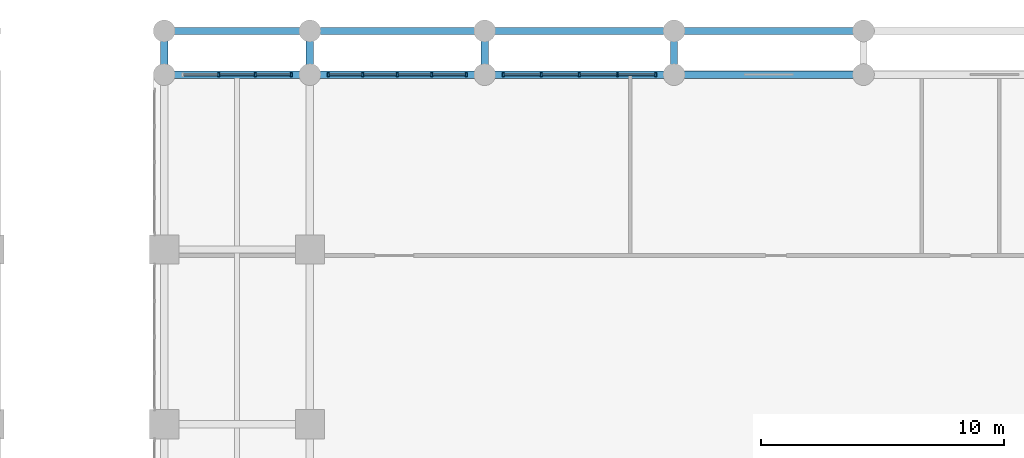
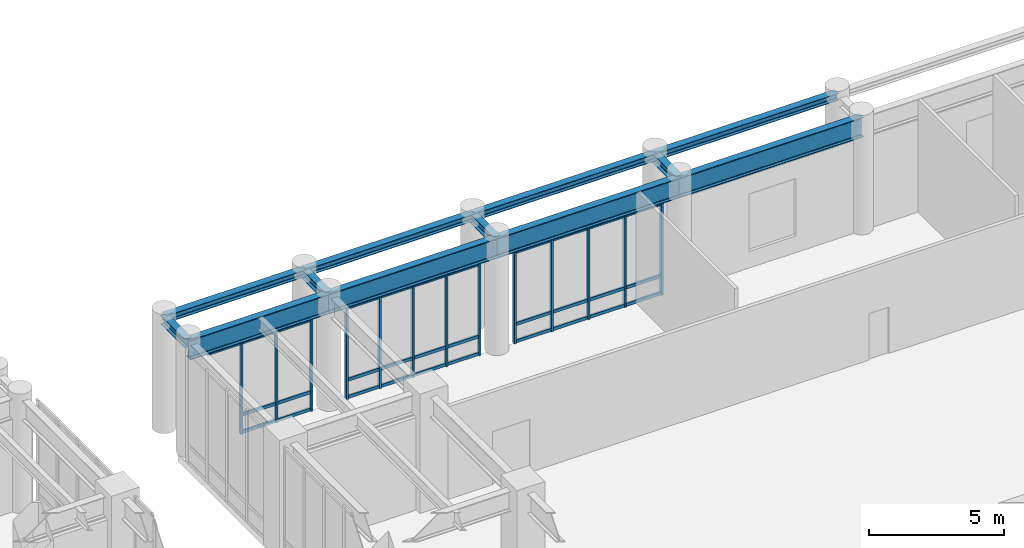
# One storey, part 8 of 23: 44 members, 12 beams, 3 elements without a shape of their own.
"""IFC4 building model written with IfcOpenShell, lengths in metres."""

from ifc_helpers import new_model, si_unit, derived_unit, direction, frame, origin, origin_2d, place, context, subcontext, project, spatial, rectangle, i_section, extrude, source, transform, mapped, material, layer, layer_set, material_profile, profile_set, type_object, type_shapes, element, aggregate, save


model = new_model("IFC4")

# Units and contexts
model_context = context("Model", 3, precision=1e-05, world=origin(), true_north=direction((0.0, 1.0)))
body_context = subcontext(model_context, "Body", "Model", "MODEL_VIEW")
ifc_project = project(units=[si_unit("LENGTHUNIT", "METRE"), si_unit("AREAUNIT", "SQUARE_METRE"), si_unit("VOLUMEUNIT", "CUBIC_METRE"), si_unit("PLANEANGLEUNIT", "RADIAN"), si_unit("MASSUNIT", "GRAM", prefix="KILO"), si_unit("THERMODYNAMICTEMPERATUREUNIT", "KELVIN"), si_unit("POWERUNIT", "WATT"), derived_unit("THERMALTRANSMITTANCEUNIT", [(si_unit("POWERUNIT", "WATT"), 1), (si_unit("AREAUNIT", "SQUARE_METRE"), -1), (si_unit("THERMODYNAMICTEMPERATUREUNIT", "KELVIN"), -1)])], contexts=[model_context])

# Site, building, storey
site_placement = place(None, origin())
site = spatial("IfcSite", under=ifc_project, at=site_placement, CompositionType="ELEMENT")
building_placement = place(site_placement, origin())
building = spatial("IfcBuilding", under=site, at=building_placement, Name="Zahravan Archway Hotel and Residences", CompositionType="ELEMENT")
storey_placement = place(building_placement, frame((0.0, 0.0, 5.39990234375)))
storey = spatial("IfcBuildingStorey", under=building, at=storey_placement, Name="L01", CompositionType="ELEMENT", Elevation=5.39990234375)

# Beams
ifc_material_1 = material(Name="Structural Steel S355J2", Category="steel")
ifc_material_profile_1 = material_profile(ifc_material_1, i_section(OverallWidth=0.300048828125, OverallDepth=0.89990234375, WebThickness=0.0185546875, FlangeThickness=0.034912109375, FilletRadius=0.030029296875, at=origin_2d()), Name="HEB 900", Category="steel")
ifc_profile_set_1 = profile_set([ifc_material_profile_1], Name="Structural Steel S355J2")
beam_type_1 = type_object("IfcBeamType", Name="BM-PRI-HEB900", PredefinedType="BEAM", material=ifc_profile_set_1)
shared_shape_1 = source(origin(), body_context, "Body", "SweptSolid", [
    extrude(i_section(OverallWidth=0.300048828125, OverallDepth=0.89990234375, WebThickness=0.0185546875, FlangeThickness=0.034912109375, FilletRadius=0.030029296875, at=origin_2d()), origin(), (0.0, 0.0, 1.0), 7.199951171875),
])
beam_1_placement = place(storey_placement, frame((34.800048828125, 46.800048828125, 4.650146484375), z_axis=(1.0, 0.0, 0.0), x_axis=(0.0, 1.0, 0.0)))
element("IfcBeam", 1, at=beam_1_placement, inside=storey, type_object=beam_type_1, Name="L01 Primary Girder EW-57", PredefinedType="BEAM", context=body_context, shape_type="MappedRepresentation", body=[
    mapped(shared_shape_1, transform((0.0, 0.0, 0.0), scale=1.0)),
])
shared_shape_2 = source(origin(), body_context, "Body", "SweptSolid", [
    extrude(i_section(OverallWidth=0.300048828125, OverallDepth=0.89990234375, WebThickness=0.0185546875, FlangeThickness=0.034912109375, FilletRadius=0.030029296875, at=origin_2d()), origin(), (0.0, 0.0, 1.0), 6.0),
])
beam_2_placement = place(storey_placement, frame((28.800048828125, 46.800048828125, 4.650146484375), z_axis=(1.0, 0.0, 0.0), x_axis=(0.0, 1.0, 0.0)))
element("IfcBeam", 2, at=beam_2_placement, inside=storey, type_object=beam_type_1, Name="L01 Primary Girder EW-56", PredefinedType="BEAM", context=body_context, shape_type="MappedRepresentation", body=[
    mapped(shared_shape_2, transform((0.0, 0.0, 0.0), scale=1.0)),
])
shared_shape_3 = source(origin(), body_context, "Body", "SweptSolid", [
    extrude(i_section(OverallWidth=0.300048828125, OverallDepth=0.89990234375, WebThickness=0.0185546875, FlangeThickness=0.034912109375, FilletRadius=0.030029296875, at=origin_2d()), origin(), (0.0, 0.0, 1.0), 7.800048828125),
])
for number, where, z_axis, x_axis, name in (
    (3, (42.0, 46.800048828125, 4.650146484375), (1.0, 0.0, 0.0), (0.0, 1.0, 0.0), "L01 Primary Girder EW-58"),
    (4, (49.800048828125, 46.800048828125, 4.650146484375), (1.0, 0.0, 0.0), (0.0, 1.0, 0.0), "L01 Primary Girder EW-59"),
):
    element("IfcBeam", number, at=place(storey_placement, frame(where, z_axis=z_axis, x_axis=x_axis)), inside=storey, type_object=beam_type_1, Name=name, PredefinedType="BEAM", context=body_context, shape_type="MappedRepresentation", body=[
        mapped(shared_shape_3, transform((0.0, 0.0, 0.0), scale=1.0)),
    ])
ifc_material_2 = material(Name="Structural Steel S355JR", Category="steel")
ifc_material_profile_2 = material_profile(ifc_material_2, i_section(OverallWidth=0.300048828125, OverallDepth=0.320068359375, WebThickness=0.011474609375, FlangeThickness=0.0205078125, FilletRadius=0.027099609375, at=origin_2d()), Name="HEB 320", Category="steel")
ifc_profile_set_2 = profile_set([ifc_material_profile_2], Name="Structural Steel S355JR")
beam_type_2 = type_object("IfcBeamType", Name="BM-SPN-HEB320", PredefinedType="SPANDREL", material=ifc_profile_set_2)
shared_shape_4 = source(origin(), body_context, "Body", "SweptSolid", [
    extrude(i_section(OverallWidth=0.300048828125, OverallDepth=0.320068359375, WebThickness=0.011474609375, FlangeThickness=0.0205078125, FilletRadius=0.027099609375, at=origin_2d()), origin(), (0.0, 0.0, 1.0), 7.199951171875),
])
type_shapes(beam_type_2, [shared_shape_4])
beam_3_placement = place(storey_placement, frame((34.800048828125, 48.60009765625, 4.940185546875), z_axis=(1.0, 0.0, 0.0), x_axis=(0.0, 1.0, 0.0)))
element("IfcBeam", 5, at=beam_3_placement, inside=storey, type_object=beam_type_2, Name="L01 North Colonnade Spandrel 6", PredefinedType="SPANDREL", context=body_context, shape_type="MappedRepresentation", body=[
    mapped(shared_shape_4, transform((0.0, 0.0, 0.0), scale=1.0)),
])
ifc_material_profile_3 = material_profile(ifc_material_2, i_section(OverallWidth=0.300048828125, OverallDepth=0.39990234375, WebThickness=0.013427734375, FlangeThickness=0.02392578125, FilletRadius=0.027099609375, at=origin_2d()), Name="HEB 400", Category="steel")
ifc_profile_set_3 = profile_set([ifc_material_profile_3], Name="Structural Steel S355JR")
beam_type_3 = type_object("IfcBeamType", Name="BM-PRI-HEB400", PredefinedType="BEAM", material=ifc_profile_set_3)
shared_shape_5 = source(origin(), body_context, "Body", "SweptSolid", [
    extrude(i_section(OverallWidth=0.300048828125, OverallDepth=0.39990234375, WebThickness=0.013427734375, FlangeThickness=0.02392578125, FilletRadius=0.027099609375, at=origin_2d()), origin(), (0.0, 0.0, 1.0), 1.800048828125),
])
for number, where, z_axis, x_axis, name in (
    (6, (28.800048828125, 46.800048828125, 4.900146484375), (0.0, 1.0, 0.0), (-1.0, 0.0, 0.0), "L01 North Colonnade Tie Girder 5"),
    (7, (34.800048828125, 46.800048828125, 4.900146484375), (0.0, 1.0, 0.0), (-1.0, 0.0, 0.0), "L01 North Colonnade Tie Girder 6"),
    (8, (42.0, 46.800048828125, 4.900146484375), (0.0, 1.0, 0.0), (-1.0, 0.0, 0.0), "L01 North Colonnade Tie Girder 7"),
    (9, (49.800048828125, 46.800048828125, 4.900146484375), (0.0, 1.0, 0.0), (-1.0, 0.0, 0.0), "L01 North Colonnade Tie Girder 8"),
):
    element("IfcBeam", number, at=place(storey_placement, frame(where, z_axis=z_axis, x_axis=x_axis)), inside=storey, type_object=beam_type_3, Name=name, PredefinedType="BEAM", context=body_context, shape_type="MappedRepresentation", body=[
        mapped(shared_shape_5, transform((0.0, 0.0, 0.0), scale=1.0)),
    ])
shared_shape_6 = source(origin(), body_context, "Body", "SweptSolid", [
    extrude(i_section(OverallWidth=0.300048828125, OverallDepth=0.320068359375, WebThickness=0.011474609375, FlangeThickness=0.0205078125, FilletRadius=0.027099609375, at=origin_2d()), origin(), (0.0, 0.0, 1.0), 6.0),
])
beam_4_placement = place(storey_placement, frame((28.800048828125, 48.60009765625, 4.940185546875), z_axis=(1.0, 0.0, 0.0), x_axis=(0.0, 1.0, 0.0)))
element("IfcBeam", 10, at=beam_4_placement, inside=storey, type_object=beam_type_2, Name="L01 North Colonnade Spandrel 5", PredefinedType="SPANDREL", context=body_context, shape_type="MappedRepresentation", body=[
    mapped(shared_shape_6, transform((0.0, 0.0, 0.0), scale=1.0)),
])
shared_shape_7 = source(origin(), body_context, "Body", "SweptSolid", [
    extrude(i_section(OverallWidth=0.300048828125, OverallDepth=0.320068359375, WebThickness=0.011474609375, FlangeThickness=0.0205078125, FilletRadius=0.027099609375, at=origin_2d()), origin(), (0.0, 0.0, 1.0), 7.800048828125),
])
for number, where, z_axis, x_axis, name in (
    (11, (42.0, 48.60009765625, 4.940185546875), (1.0, 0.0, 0.0), (0.0, 1.0, 0.0), "L01 North Colonnade Spandrel 7"),
    (12, (49.800048828125, 48.60009765625, 4.940185546875), (1.0, 0.0, 0.0), (0.0, 1.0, 0.0), "L01 North Colonnade Spandrel 8"),
):
    element("IfcBeam", number, at=place(storey_placement, frame(where, z_axis=z_axis, x_axis=x_axis)), inside=storey, type_object=beam_type_2, Name=name, PredefinedType="SPANDREL", context=body_context, shape_type="MappedRepresentation", body=[
        mapped(shared_shape_7, transform((0.0, 0.0, 0.0), scale=1.0)),
    ])

# Curtain wall, members
ifc_material_3 = material(Name="Bronze-Anodized Unitised Aluminium & Low-E Glass", Category="aluminium")
ifc_layer = layer(ifc_material_3, 0.179931640625, Name="Bronze-Anodized Unitised Aluminium & Low-E Glass", Category="aluminium")
ifc_layer_set = layer_set([ifc_layer], Name="Bronze-Anodized Unitised Aluminium & Low-E Glass")
curtain_wall_type = type_object("IfcCurtainWallType", Name="CW-POD-ARCH", PredefinedType="NOTDEFINED", material=ifc_layer_set)
curtain_wall_1_placement = place(storey_placement, origin())
curtain_wall_1 = element("IfcCurtainWall", 13, at=curtain_wall_1_placement, inside=storey, type_object=curtain_wall_type, Name="L01 Curtain Wall CW-POD-L01-1", PredefinedType="NOTDEFINED")
ifc_material_4 = material(Name="Bronze-Anodized Extruded Aluminium", Category="aluminium")
ifc_material_profile_4 = material_profile(ifc_material_4, rectangle(XDim=0.080078125, YDim=0.139892578125, at=origin_2d()), Name="TRN 80x140", Category="aluminium")
ifc_profile_set_4 = profile_set([ifc_material_profile_4], Name="Bronze-Anodized Extruded Aluminium")
member_type_1 = type_object("IfcMemberType", Name="CWM-TRN-140", PredefinedType="USERDEFINED", material=ifc_profile_set_4)
shared_shape_8 = source(origin(), body_context, "Body", "SweptSolid", [
    extrude(rectangle(XDim=0.080078125, YDim=0.139892578125, at=origin_2d()), origin(), (0.0, 0.0, 1.0), 1.4130859375),
])
type_shapes(member_type_1, [shared_shape_8])
member_1_placement = place(storey_placement, frame((29.60009765625, 46.800048828125, 4.114990234375), z_axis=(1.0, 0.0, 0.0), x_axis=(0.0, 1.0, 0.0)))
member_1 = element("IfcMember", 14, at=member_1_placement, type_object=member_type_1, Name="CW-POD-L01-1 Transom 0-3", ObjectType="TRANSOM", PredefinedType="USERDEFINED", context=body_context, shape_type="MappedRepresentation", body=[
    mapped(shared_shape_8, transform((0.0, 0.0, 0.0), scale=1.0)),
])
shared_shape_9 = source(origin(), body_context, "Body", "SweptSolid", [
    extrude(rectangle(XDim=0.080078125, YDim=0.139892578125, at=origin_2d()), origin(), (0.0, 0.0, 1.0), 1.413330078125),
])
member_2_placement = place(storey_placement, frame((31.09326171875, 46.800048828125, 0.070068359375), z_axis=(1.0, 0.0, 0.0), x_axis=(0.0, 1.0, 0.0)))
member_2 = element("IfcMember", 15, at=member_2_placement, type_object=member_type_1, Name="CW-POD-L01-1 Transom 1-1", ObjectType="TRANSOM", PredefinedType="USERDEFINED", context=body_context, shape_type="MappedRepresentation", body=[
    mapped(shared_shape_9, transform((0.0, 0.0, 0.0), scale=1.0)),
])
member_3_placement = place(storey_placement, frame((31.09326171875, 46.800048828125, 0.85009765625), z_axis=(1.0, 0.0, 0.0), x_axis=(0.0, 1.0, 0.0)))
member_3 = element("IfcMember", 16, at=member_3_placement, type_object=member_type_1, Name="CW-POD-L01-1 Transom 1-2", ObjectType="TRANSOM", PredefinedType="USERDEFINED", context=body_context, shape_type="MappedRepresentation", body=[
    mapped(shared_shape_9, transform((0.0, 0.0, 0.0), scale=1.0)),
])
member_4_placement = place(storey_placement, frame((31.09326171875, 46.800048828125, 4.114990234375), z_axis=(1.0, 0.0, 0.0), x_axis=(0.0, 1.0, 0.0)))
member_4 = element("IfcMember", 17, at=member_4_placement, type_object=member_type_1, Name="CW-POD-L01-1 Transom 1-3", ObjectType="TRANSOM", PredefinedType="USERDEFINED", context=body_context, shape_type="MappedRepresentation", body=[
    mapped(shared_shape_9, transform((0.0, 0.0, 0.0), scale=1.0)),
])
member_5_placement = place(storey_placement, frame((32.586669921875, 46.800048828125, 0.070068359375), z_axis=(1.0, 0.0, 0.0), x_axis=(0.0, 1.0, 0.0)))
member_5 = element("IfcMember", 18, at=member_5_placement, type_object=member_type_1, Name="CW-POD-L01-1 Transom 2-1", ObjectType="TRANSOM", PredefinedType="USERDEFINED", context=body_context, shape_type="MappedRepresentation", body=[
    mapped(shared_shape_9, transform((0.0, 0.0, 0.0), scale=1.0)),
])
member_6_placement = place(storey_placement, frame((32.586669921875, 46.800048828125, 0.85009765625), z_axis=(1.0, 0.0, 0.0), x_axis=(0.0, 1.0, 0.0)))
member_6 = element("IfcMember", 19, at=member_6_placement, type_object=member_type_1, Name="CW-POD-L01-1 Transom 2-2", ObjectType="TRANSOM", PredefinedType="USERDEFINED", context=body_context, shape_type="MappedRepresentation", body=[
    mapped(shared_shape_9, transform((0.0, 0.0, 0.0), scale=1.0)),
])
member_7_placement = place(storey_placement, frame((32.586669921875, 46.800048828125, 4.114990234375), z_axis=(1.0, 0.0, 0.0), x_axis=(0.0, 1.0, 0.0)))
member_7 = element("IfcMember", 20, at=member_7_placement, type_object=member_type_1, Name="CW-POD-L01-1 Transom 2-3", ObjectType="TRANSOM", PredefinedType="USERDEFINED", context=body_context, shape_type="MappedRepresentation", body=[
    mapped(shared_shape_9, transform((0.0, 0.0, 0.0), scale=1.0)),
])

curtain_wall_2_placement = place(storey_placement, origin())
curtain_wall_2 = element("IfcCurtainWall", 21, at=curtain_wall_2_placement, inside=storey, type_object=curtain_wall_type, Name="L01 Curtain Wall CW-POD-L01-2", PredefinedType="NOTDEFINED")
shared_shape_10 = source(origin(), body_context, "Body", "SweptSolid", [
    extrude(rectangle(XDim=0.080078125, YDim=0.139892578125, at=origin_2d()), origin(), (0.0, 0.0, 1.0), 1.33984375),
])
member_8_placement = place(storey_placement, frame((35.60009765625, 46.800048828125, 0.070068359375), z_axis=(1.0, 0.0, 0.0), x_axis=(0.0, 1.0, 0.0)))
member_8 = element("IfcMember", 22, at=member_8_placement, type_object=member_type_1, Name="CW-POD-L01-2 Transom 0-1", ObjectType="TRANSOM", PredefinedType="USERDEFINED", context=body_context, shape_type="MappedRepresentation", body=[
    mapped(shared_shape_10, transform((0.0, 0.0, 0.0), scale=1.0)),
])
member_9_placement = place(storey_placement, frame((35.60009765625, 46.800048828125, 0.85009765625), z_axis=(1.0, 0.0, 0.0), x_axis=(0.0, 1.0, 0.0)))
member_9 = element("IfcMember", 23, at=member_9_placement, type_object=member_type_1, Name="CW-POD-L01-2 Transom 0-2", ObjectType="TRANSOM", PredefinedType="USERDEFINED", context=body_context, shape_type="MappedRepresentation", body=[
    mapped(shared_shape_10, transform((0.0, 0.0, 0.0), scale=1.0)),
])
member_10_placement = place(storey_placement, frame((35.60009765625, 46.800048828125, 4.114990234375), z_axis=(1.0, 0.0, 0.0), x_axis=(0.0, 1.0, 0.0)))
member_10 = element("IfcMember", 24, at=member_10_placement, type_object=member_type_1, Name="CW-POD-L01-2 Transom 0-3", ObjectType="TRANSOM", PredefinedType="USERDEFINED", context=body_context, shape_type="MappedRepresentation", body=[
    mapped(shared_shape_10, transform((0.0, 0.0, 0.0), scale=1.0)),
])
member_11_placement = place(storey_placement, frame((39.860107421875, 46.800048828125, 0.070068359375), z_axis=(1.0, 0.0, 0.0), x_axis=(0.0, 1.0, 0.0)))
member_11 = element("IfcMember", 25, at=member_11_placement, type_object=member_type_1, Name="CW-POD-L01-2 Transom 3-1", ObjectType="TRANSOM", PredefinedType="USERDEFINED", context=body_context, shape_type="MappedRepresentation", body=[
    mapped(shared_shape_10, transform((0.0, 0.0, 0.0), scale=1.0)),
])
member_12_placement = place(storey_placement, frame((39.860107421875, 46.800048828125, 0.85009765625), z_axis=(1.0, 0.0, 0.0), x_axis=(0.0, 1.0, 0.0)))
member_12 = element("IfcMember", 26, at=member_12_placement, type_object=member_type_1, Name="CW-POD-L01-2 Transom 3-2", ObjectType="TRANSOM", PredefinedType="USERDEFINED", context=body_context, shape_type="MappedRepresentation", body=[
    mapped(shared_shape_10, transform((0.0, 0.0, 0.0), scale=1.0)),
])
member_13_placement = place(storey_placement, frame((39.860107421875, 46.800048828125, 4.114990234375), z_axis=(1.0, 0.0, 0.0), x_axis=(0.0, 1.0, 0.0)))
member_13 = element("IfcMember", 27, at=member_13_placement, type_object=member_type_1, Name="CW-POD-L01-2 Transom 3-3", ObjectType="TRANSOM", PredefinedType="USERDEFINED", context=body_context, shape_type="MappedRepresentation", body=[
    mapped(shared_shape_10, transform((0.0, 0.0, 0.0), scale=1.0)),
])
shared_shape_11 = source(origin(), body_context, "Body", "SweptSolid", [
    extrude(rectangle(XDim=0.080078125, YDim=0.139892578125, at=origin_2d()), origin(), (0.0, 0.0, 1.0), 1.340087890625),
])
member_14_placement = place(storey_placement, frame((37.02001953125, 46.800048828125, 0.070068359375), z_axis=(1.0, 0.0, 0.0), x_axis=(0.0, 1.0, 0.0)))
member_14 = element("IfcMember", 28, at=member_14_placement, type_object=member_type_1, Name="CW-POD-L01-2 Transom 1-1", ObjectType="TRANSOM", PredefinedType="USERDEFINED", context=body_context, shape_type="MappedRepresentation", body=[
    mapped(shared_shape_11, transform((0.0, 0.0, 0.0), scale=1.0)),
])
member_15_placement = place(storey_placement, frame((37.02001953125, 46.800048828125, 0.85009765625), z_axis=(1.0, 0.0, 0.0), x_axis=(0.0, 1.0, 0.0)))
member_15 = element("IfcMember", 29, at=member_15_placement, type_object=member_type_1, Name="CW-POD-L01-2 Transom 1-2", ObjectType="TRANSOM", PredefinedType="USERDEFINED", context=body_context, shape_type="MappedRepresentation", body=[
    mapped(shared_shape_11, transform((0.0, 0.0, 0.0), scale=1.0)),
])
member_16_placement = place(storey_placement, frame((37.02001953125, 46.800048828125, 4.114990234375), z_axis=(1.0, 0.0, 0.0), x_axis=(0.0, 1.0, 0.0)))
member_16 = element("IfcMember", 30, at=member_16_placement, type_object=member_type_1, Name="CW-POD-L01-2 Transom 1-3", ObjectType="TRANSOM", PredefinedType="USERDEFINED", context=body_context, shape_type="MappedRepresentation", body=[
    mapped(shared_shape_11, transform((0.0, 0.0, 0.0), scale=1.0)),
])
member_17_placement = place(storey_placement, frame((38.43994140625, 46.800048828125, 0.070068359375), z_axis=(1.0, 0.0, 0.0), x_axis=(0.0, 1.0, 0.0)))
member_17 = element("IfcMember", 31, at=member_17_placement, type_object=member_type_1, Name="CW-POD-L01-2 Transom 2-1", ObjectType="TRANSOM", PredefinedType="USERDEFINED", context=body_context, shape_type="MappedRepresentation", body=[
    mapped(shared_shape_11, transform((0.0, 0.0, 0.0), scale=1.0)),
])
member_18_placement = place(storey_placement, frame((38.43994140625, 46.800048828125, 0.85009765625), z_axis=(1.0, 0.0, 0.0), x_axis=(0.0, 1.0, 0.0)))
member_18 = element("IfcMember", 32, at=member_18_placement, type_object=member_type_1, Name="CW-POD-L01-2 Transom 2-2", ObjectType="TRANSOM", PredefinedType="USERDEFINED", context=body_context, shape_type="MappedRepresentation", body=[
    mapped(shared_shape_11, transform((0.0, 0.0, 0.0), scale=1.0)),
])
member_19_placement = place(storey_placement, frame((38.43994140625, 46.800048828125, 4.114990234375), z_axis=(1.0, 0.0, 0.0), x_axis=(0.0, 1.0, 0.0)))
member_19 = element("IfcMember", 33, at=member_19_placement, type_object=member_type_1, Name="CW-POD-L01-2 Transom 2-3", ObjectType="TRANSOM", PredefinedType="USERDEFINED", context=body_context, shape_type="MappedRepresentation", body=[
    mapped(shared_shape_11, transform((0.0, 0.0, 0.0), scale=1.0)),
])

curtain_wall_3_placement = place(storey_placement, origin())
curtain_wall_3 = element("IfcCurtainWall", 34, at=curtain_wall_3_placement, inside=storey, type_object=curtain_wall_type, Name="L01 Curtain Wall CW-POD-L01-3", PredefinedType="NOTDEFINED")
shared_shape_12 = source(origin(), body_context, "Body", "SweptSolid", [
    extrude(rectangle(XDim=0.080078125, YDim=0.139892578125, at=origin_2d()), origin(), (0.0, 0.0, 1.0), 1.489990234375),
])
member_20_placement = place(storey_placement, frame((42.800048828125, 46.800048828125, 0.070068359375), z_axis=(1.0, 0.0, 0.0), x_axis=(0.0, 1.0, 0.0)))
member_20 = element("IfcMember", 35, at=member_20_placement, type_object=member_type_1, Name="CW-POD-L01-3 Transom 0-1", ObjectType="TRANSOM", PredefinedType="USERDEFINED", context=body_context, shape_type="MappedRepresentation", body=[
    mapped(shared_shape_12, transform((0.0, 0.0, 0.0), scale=1.0)),
])
member_21_placement = place(storey_placement, frame((42.800048828125, 46.800048828125, 0.85009765625), z_axis=(1.0, 0.0, 0.0), x_axis=(0.0, 1.0, 0.0)))
member_21 = element("IfcMember", 36, at=member_21_placement, type_object=member_type_1, Name="CW-POD-L01-3 Transom 0-2", ObjectType="TRANSOM", PredefinedType="USERDEFINED", context=body_context, shape_type="MappedRepresentation", body=[
    mapped(shared_shape_12, transform((0.0, 0.0, 0.0), scale=1.0)),
])
member_22_placement = place(storey_placement, frame((42.800048828125, 46.800048828125, 4.114990234375), z_axis=(1.0, 0.0, 0.0), x_axis=(0.0, 1.0, 0.0)))
member_22 = element("IfcMember", 37, at=member_22_placement, type_object=member_type_1, Name="CW-POD-L01-3 Transom 0-3", ObjectType="TRANSOM", PredefinedType="USERDEFINED", context=body_context, shape_type="MappedRepresentation", body=[
    mapped(shared_shape_12, transform((0.0, 0.0, 0.0), scale=1.0)),
])
member_23_placement = place(storey_placement, frame((44.3701171875, 46.800048828125, 0.070068359375), z_axis=(1.0, 0.0, 0.0), x_axis=(0.0, 1.0, 0.0)))
member_23 = element("IfcMember", 38, at=member_23_placement, type_object=member_type_1, Name="CW-POD-L01-3 Transom 1-1", ObjectType="TRANSOM", PredefinedType="USERDEFINED", context=body_context, shape_type="MappedRepresentation", body=[
    mapped(shared_shape_12, transform((0.0, 0.0, 0.0), scale=1.0)),
])
member_24_placement = place(storey_placement, frame((44.3701171875, 46.800048828125, 0.85009765625), z_axis=(1.0, 0.0, 0.0), x_axis=(0.0, 1.0, 0.0)))
member_24 = element("IfcMember", 39, at=member_24_placement, type_object=member_type_1, Name="CW-POD-L01-3 Transom 1-2", ObjectType="TRANSOM", PredefinedType="USERDEFINED", context=body_context, shape_type="MappedRepresentation", body=[
    mapped(shared_shape_12, transform((0.0, 0.0, 0.0), scale=1.0)),
])
member_25_placement = place(storey_placement, frame((44.3701171875, 46.800048828125, 4.114990234375), z_axis=(1.0, 0.0, 0.0), x_axis=(0.0, 1.0, 0.0)))
member_25 = element("IfcMember", 40, at=member_25_placement, type_object=member_type_1, Name="CW-POD-L01-3 Transom 1-3", ObjectType="TRANSOM", PredefinedType="USERDEFINED", context=body_context, shape_type="MappedRepresentation", body=[
    mapped(shared_shape_12, transform((0.0, 0.0, 0.0), scale=1.0)),
])
member_26_placement = place(storey_placement, frame((45.93994140625, 46.800048828125, 0.070068359375), z_axis=(1.0, 0.0, 0.0), x_axis=(0.0, 1.0, 0.0)))
member_26 = element("IfcMember", 41, at=member_26_placement, type_object=member_type_1, Name="CW-POD-L01-3 Transom 2-1", ObjectType="TRANSOM", PredefinedType="USERDEFINED", context=body_context, shape_type="MappedRepresentation", body=[
    mapped(shared_shape_12, transform((0.0, 0.0, 0.0), scale=1.0)),
])
member_27_placement = place(storey_placement, frame((45.93994140625, 46.800048828125, 0.85009765625), z_axis=(1.0, 0.0, 0.0), x_axis=(0.0, 1.0, 0.0)))
member_27 = element("IfcMember", 42, at=member_27_placement, type_object=member_type_1, Name="CW-POD-L01-3 Transom 2-2", ObjectType="TRANSOM", PredefinedType="USERDEFINED", context=body_context, shape_type="MappedRepresentation", body=[
    mapped(shared_shape_12, transform((0.0, 0.0, 0.0), scale=1.0)),
])
member_28_placement = place(storey_placement, frame((45.93994140625, 46.800048828125, 4.114990234375), z_axis=(1.0, 0.0, 0.0), x_axis=(0.0, 1.0, 0.0)))
member_28 = element("IfcMember", 43, at=member_28_placement, type_object=member_type_1, Name="CW-POD-L01-3 Transom 2-3", ObjectType="TRANSOM", PredefinedType="USERDEFINED", context=body_context, shape_type="MappedRepresentation", body=[
    mapped(shared_shape_12, transform((0.0, 0.0, 0.0), scale=1.0)),
])
member_29_placement = place(storey_placement, frame((47.510009765625, 46.800048828125, 0.070068359375), z_axis=(1.0, 0.0, 0.0), x_axis=(0.0, 1.0, 0.0)))
member_29 = element("IfcMember", 44, at=member_29_placement, type_object=member_type_1, Name="CW-POD-L01-3 Transom 3-1", ObjectType="TRANSOM", PredefinedType="USERDEFINED", context=body_context, shape_type="MappedRepresentation", body=[
    mapped(shared_shape_12, transform((0.0, 0.0, 0.0), scale=1.0)),
])
member_30_placement = place(storey_placement, frame((47.510009765625, 46.800048828125, 0.85009765625), z_axis=(1.0, 0.0, 0.0), x_axis=(0.0, 1.0, 0.0)))
member_30 = element("IfcMember", 45, at=member_30_placement, type_object=member_type_1, Name="CW-POD-L01-3 Transom 3-2", ObjectType="TRANSOM", PredefinedType="USERDEFINED", context=body_context, shape_type="MappedRepresentation", body=[
    mapped(shared_shape_12, transform((0.0, 0.0, 0.0), scale=1.0)),
])
member_31_placement = place(storey_placement, frame((47.510009765625, 46.800048828125, 4.114990234375), z_axis=(1.0, 0.0, 0.0), x_axis=(0.0, 1.0, 0.0)))
member_31 = element("IfcMember", 46, at=member_31_placement, type_object=member_type_1, Name="CW-POD-L01-3 Transom 3-3", ObjectType="TRANSOM", PredefinedType="USERDEFINED", context=body_context, shape_type="MappedRepresentation", body=[
    mapped(shared_shape_12, transform((0.0, 0.0, 0.0), scale=1.0)),
])

# Member
ifc_material_profile_5 = material_profile(ifc_material_4, rectangle(XDim=0.080078125, YDim=0.159912109375, at=origin_2d()), Name="MUL 80x160", Category="aluminium")
ifc_profile_set_5 = profile_set([ifc_material_profile_5], Name="Bronze-Anodized Extruded Aluminium")
member_type_2 = type_object("IfcMemberType", Name="CWM-MUL-160", PredefinedType="MULLION", material=ifc_profile_set_5)
shared_shape_13 = source(origin(), body_context, "Body", "SweptSolid", [
    extrude(rectangle(XDim=0.080078125, YDim=0.159912109375, at=origin_2d()), origin(), (0.0, 0.0, 1.0), 4.18505859375),
])
member_32_placement = place(storey_placement, frame((31.05322265625, 46.800048828125, 0.0), z_axis=(0.0, 0.0, 1.0), x_axis=(1.0, 0.0, 0.0)))
member_32 = element("IfcMember", 47, at=member_32_placement, type_object=member_type_2, Name="CW-POD-L01-1 Mullion 1", PredefinedType="MULLION", context=body_context, shape_type="MappedRepresentation", body=[
    mapped(shared_shape_13, transform((0.0, 0.0, 0.0), scale=1.0)),
])

member_33_placement = place(storey_placement, frame((32.546630859375, 46.800048828125, 0.0), z_axis=(0.0, 0.0, 1.0), x_axis=(1.0, 0.0, 0.0)))
member_33 = element("IfcMember", 48, at=member_33_placement, type_object=member_type_2, Name="CW-POD-L01-1 Mullion 2", PredefinedType="MULLION", context=body_context, shape_type="MappedRepresentation", body=[
    mapped(shared_shape_13, transform((0.0, 0.0, 0.0), scale=1.0)),
])

member_34_placement = place(storey_placement, frame((34.0400390625, 46.800048828125, 0.0), z_axis=(0.0, 0.0, 1.0), x_axis=(1.0, 0.0, 0.0)))
member_34 = element("IfcMember", 49, at=member_34_placement, type_object=member_type_2, Name="CW-POD-L01-1 Mullion 3", PredefinedType="MULLION", context=body_context, shape_type="MappedRepresentation", body=[
    mapped(shared_shape_13, transform((0.0, 0.0, 0.0), scale=1.0)),
])

aggregate(curtain_wall_1, [member_32, member_33, member_34, member_1, member_2, member_3, member_4, member_5, member_6, member_7])

member_35_placement = place(storey_placement, frame((35.56005859375, 46.800048828125, 0.0), z_axis=(0.0, 0.0, 1.0), x_axis=(1.0, 0.0, 0.0)))
member_35 = element("IfcMember", 50, at=member_35_placement, type_object=member_type_2, Name="CW-POD-L01-2 Mullion 0", PredefinedType="MULLION", context=body_context, shape_type="MappedRepresentation", body=[
    mapped(shared_shape_13, transform((0.0, 0.0, 0.0), scale=1.0)),
])

member_36_placement = place(storey_placement, frame((36.97998046875, 46.800048828125, 0.0), z_axis=(0.0, 0.0, 1.0), x_axis=(1.0, 0.0, 0.0)))
member_36 = element("IfcMember", 51, at=member_36_placement, type_object=member_type_2, Name="CW-POD-L01-2 Mullion 1", PredefinedType="MULLION", context=body_context, shape_type="MappedRepresentation", body=[
    mapped(shared_shape_13, transform((0.0, 0.0, 0.0), scale=1.0)),
])

member_37_placement = place(storey_placement, frame((38.39990234375, 46.800048828125, 0.0), z_axis=(0.0, 0.0, 1.0), x_axis=(1.0, 0.0, 0.0)))
member_37 = element("IfcMember", 52, at=member_37_placement, type_object=member_type_2, Name="CW-POD-L01-2 Mullion 2", PredefinedType="MULLION", context=body_context, shape_type="MappedRepresentation", body=[
    mapped(shared_shape_13, transform((0.0, 0.0, 0.0), scale=1.0)),
])

member_38_placement = place(storey_placement, frame((39.820068359375, 46.800048828125, 0.0), z_axis=(0.0, 0.0, 1.0), x_axis=(1.0, 0.0, 0.0)))
member_38 = element("IfcMember", 53, at=member_38_placement, type_object=member_type_2, Name="CW-POD-L01-2 Mullion 3", PredefinedType="MULLION", context=body_context, shape_type="MappedRepresentation", body=[
    mapped(shared_shape_13, transform((0.0, 0.0, 0.0), scale=1.0)),
])

member_39_placement = place(storey_placement, frame((41.239990234375, 46.800048828125, 0.0), z_axis=(0.0, 0.0, 1.0), x_axis=(1.0, 0.0, 0.0)))
member_39 = element("IfcMember", 54, at=member_39_placement, type_object=member_type_2, Name="CW-POD-L01-2 Mullion 4", PredefinedType="MULLION", context=body_context, shape_type="MappedRepresentation", body=[
    mapped(shared_shape_13, transform((0.0, 0.0, 0.0), scale=1.0)),
])

aggregate(curtain_wall_2, [member_35, member_36, member_37, member_38, member_39, member_8, member_9, member_10, member_14, member_15, member_16, member_17, member_18, member_19, member_11, member_12, member_13])

member_40_placement = place(storey_placement, frame((42.760009765625, 46.800048828125, 0.0), z_axis=(0.0, 0.0, 1.0), x_axis=(1.0, 0.0, 0.0)))
member_40 = element("IfcMember", 55, at=member_40_placement, type_object=member_type_2, Name="CW-POD-L01-3 Mullion 0", PredefinedType="MULLION", context=body_context, shape_type="MappedRepresentation", body=[
    mapped(shared_shape_13, transform((0.0, 0.0, 0.0), scale=1.0)),
])

member_41_placement = place(storey_placement, frame((44.330078125, 46.800048828125, 0.0), z_axis=(0.0, 0.0, 1.0), x_axis=(1.0, 0.0, 0.0)))
member_41 = element("IfcMember", 56, at=member_41_placement, type_object=member_type_2, Name="CW-POD-L01-3 Mullion 1", PredefinedType="MULLION", context=body_context, shape_type="MappedRepresentation", body=[
    mapped(shared_shape_13, transform((0.0, 0.0, 0.0), scale=1.0)),
])

member_42_placement = place(storey_placement, frame((45.89990234375, 46.800048828125, 0.0), z_axis=(0.0, 0.0, 1.0), x_axis=(1.0, 0.0, 0.0)))
member_42 = element("IfcMember", 57, at=member_42_placement, type_object=member_type_2, Name="CW-POD-L01-3 Mullion 2", PredefinedType="MULLION", context=body_context, shape_type="MappedRepresentation", body=[
    mapped(shared_shape_13, transform((0.0, 0.0, 0.0), scale=1.0)),
])

member_43_placement = place(storey_placement, frame((47.469970703125, 46.800048828125, 0.0), z_axis=(0.0, 0.0, 1.0), x_axis=(1.0, 0.0, 0.0)))
member_43 = element("IfcMember", 58, at=member_43_placement, type_object=member_type_2, Name="CW-POD-L01-3 Mullion 3", PredefinedType="MULLION", context=body_context, shape_type="MappedRepresentation", body=[
    mapped(shared_shape_13, transform((0.0, 0.0, 0.0), scale=1.0)),
])

member_44_placement = place(storey_placement, frame((49.0400390625, 46.800048828125, 0.0), z_axis=(0.0, 0.0, 1.0), x_axis=(1.0, 0.0, 0.0)))
member_44 = element("IfcMember", 59, at=member_44_placement, type_object=member_type_2, Name="CW-POD-L01-3 Mullion 4", PredefinedType="MULLION", context=body_context, shape_type="MappedRepresentation", body=[
    mapped(shared_shape_13, transform((0.0, 0.0, 0.0), scale=1.0)),
])

aggregate(curtain_wall_3, [member_40, member_41, member_42, member_43, member_44, member_20, member_21, member_22, member_23, member_24, member_25, member_26, member_27, member_28, member_29, member_30, member_31])

save(model, "model.ifc")
